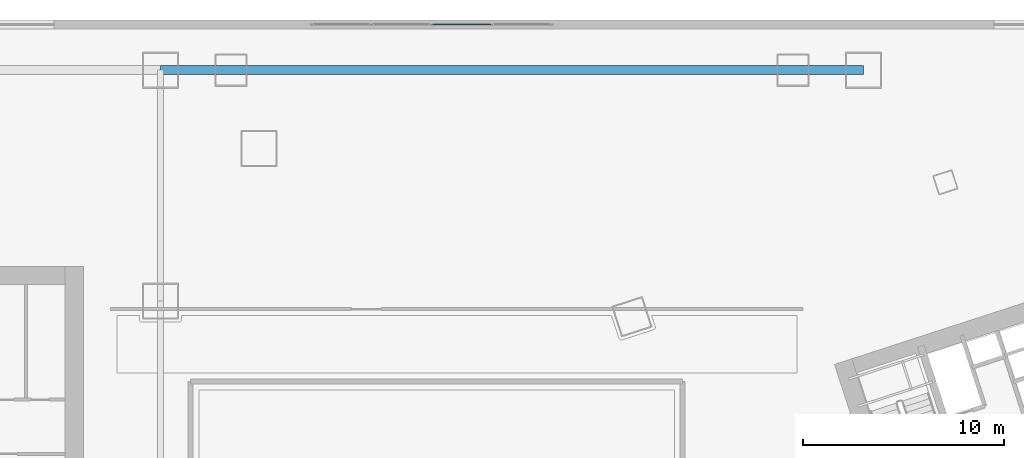
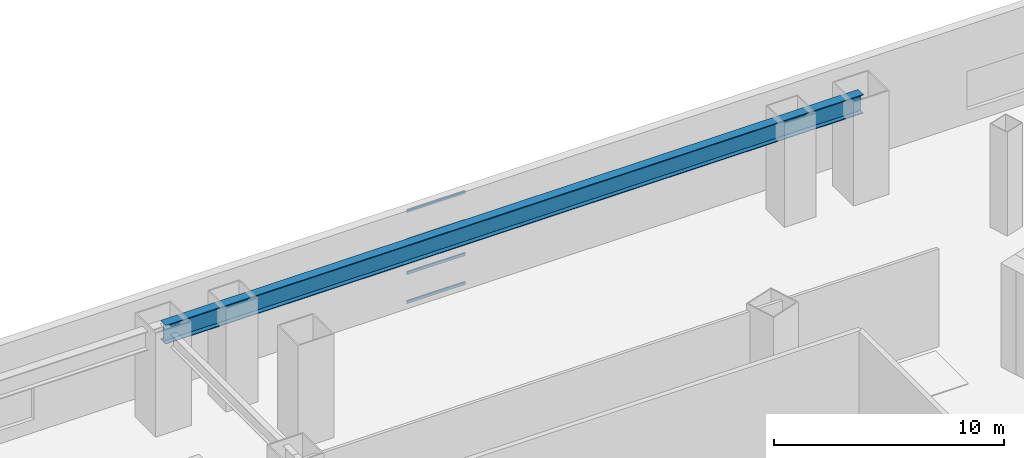
# One storey, part 19 of 35: 4 members, 1 beam, 1 element without a shape of its own.
"""IFC4 building model written with IfcOpenShell, lengths in metres."""

from ifc_helpers import new_model, si_unit, direction, frame, origin, origin_2d, place, context, subcontext, project, spatial, hollow_rectangle, i_section, extrude, material, layer, layer_set, material_profile, profile_set, type_object, element, aggregate, save


model = new_model("IFC4")

# Units and contexts
model_context = context("Model", 3, precision=1e-05, world=origin(), true_north=direction((0.0, 1.0)))
body_context = subcontext(model_context, "Body", "Model", "MODEL_VIEW")
ifc_project = project(units=[si_unit("LENGTHUNIT", "METRE"), si_unit("AREAUNIT", "SQUARE_METRE"), si_unit("VOLUMEUNIT", "CUBIC_METRE"), si_unit("PLANEANGLEUNIT", "RADIAN"), si_unit("MASSUNIT", "GRAM", prefix="KILO")], contexts=[model_context])

# Site, building, storey
site_placement = place(None, origin())
site = spatial("IfcSite", under=ifc_project, at=site_placement, CompositionType="ELEMENT")
building_placement = place(site_placement, origin())
building = spatial("IfcBuilding", under=site, at=building_placement, Name="Qiaolan Cultural Towers", CompositionType="ELEMENT")
storey_placement = place(building_placement, frame((0.0, 0.0, 6.0)))
storey = spatial("IfcBuildingStorey", under=building, at=storey_placement, Name="L01", CompositionType="ELEMENT", Elevation=6.0)

# Beam
ifc_material_1 = material(Name="Steel Q390GJB", Category="steel")
ifc_material_profile_1 = material_profile(ifc_material_1, i_section(OverallWidth=0.449951171875, OverallDepth=1.0, WebThickness=0.02392578125, FlangeThickness=0.0400390625, at=origin_2d()), Name="BH1000x450x24x40")
ifc_profile_set_1 = profile_set([ifc_material_profile_1], Name="Steel Q390GJB")
beam_type = type_object("IfcBeamType", Name="BM-BH1000x450x24x40", PredefinedType="BEAM", material=ifc_profile_set_1)
beam_placement = place(storey_placement, frame((42.5, 65.5, 4.699951171875), z_axis=(1.0, 0.0, 0.0), x_axis=(0.0, 1.0, 0.0)))
element("IfcBeam", 1, at=beam_placement, inside=storey, type_object=beam_type, Name="L01 Podium Primary Girder Y=65.5", PredefinedType="BEAM", context=body_context, shape_type="SweptSolid", body=[
    extrude(i_section(OverallWidth=0.449951171875, OverallDepth=1.0, WebThickness=0.02392578125, FlangeThickness=0.0400390625, at=origin_2d()), origin(), (0.0, 0.0, 1.0), 35.0),
])

# Curtain wall, members
ifc_material_2 = material(Name="Unitized Anodized Aluminium Curtain Wall System", Category="aluminium")
ifc_layer = layer(ifc_material_2, 0.199951171875)
ifc_layer_set = layer_set([ifc_layer], Name="Unitized Anodized Aluminium Curtain Wall System")
curtain_wall_type = type_object("IfcCurtainWallType", Name="CWS-01", PredefinedType="NOTDEFINED", material=ifc_layer_set)
curtain_wall_placement = place(storey_placement, origin())
curtain_wall = element("IfcCurtainWall", 2, at=curtain_wall_placement, inside=storey, type_object=curtain_wall_type, Name="L01 North Atrium Curtain Wall", PredefinedType="NOTDEFINED")
ifc_material_3 = material(Name="Extruded Aluminium 6063-T6", Category="aluminium")
ifc_material_profile_2 = material_profile(ifc_material_3, hollow_rectangle(XDim=0.06494140625, YDim=0.14990234375, WallThickness=0.00390625, at=origin_2d()), Name="CWT-150x65x4")
ifc_profile_set_2 = profile_set([ifc_material_profile_2], Name="Extruded Aluminium 6063-T6")
member_type = type_object("IfcMemberType", Name="CWS-01-TRN", PredefinedType="USERDEFINED", material=ifc_profile_set_2)
member_1_placement = place(storey_placement, frame((56.03759765625, 67.780029296875, 0.1826171875), z_axis=(1.0, 0.0, 0.0), x_axis=(0.0, 1.0, 0.0)))
member_1 = element("IfcMember", 3, at=member_1_placement, type_object=member_type, Name="CW-1 transom 3.1", ObjectType="TRANSOM", PredefinedType="USERDEFINED", context=body_context, shape_type="SweptSolid", body=[
    extrude(hollow_rectangle(XDim=0.06494140625, YDim=0.14990234375, WallThickness=0.00390625, at=origin_2d()), origin(), (0.0, 0.0, 1.0), 2.9248046875),
])
member_2_placement = place(storey_placement, frame((56.03759765625, 67.780029296875, 1.719970703125), z_axis=(1.0, 0.0, 0.0), x_axis=(0.0, 1.0, 0.0)))
member_2 = element("IfcMember", 4, at=member_2_placement, type_object=member_type, Name="CW-1 transom 3.2", ObjectType="TRANSOM", PredefinedType="USERDEFINED", context=body_context, shape_type="SweptSolid", body=[
    extrude(hollow_rectangle(XDim=0.06494140625, YDim=0.14990234375, WallThickness=0.00390625, at=origin_2d()), origin(), (0.0, 0.0, 1.0), 2.9248046875),
])
member_3_placement = place(storey_placement, frame((56.03759765625, 67.780029296875, 3.47998046875), z_axis=(1.0, 0.0, 0.0), x_axis=(0.0, 1.0, 0.0)))
member_3 = element("IfcMember", 5, at=member_3_placement, type_object=member_type, Name="CW-1 transom 3.3", ObjectType="TRANSOM", PredefinedType="USERDEFINED", context=body_context, shape_type="SweptSolid", body=[
    extrude(hollow_rectangle(XDim=0.06494140625, YDim=0.14990234375, WallThickness=0.00390625, at=origin_2d()), origin(), (0.0, 0.0, 1.0), 2.9248046875),
])
member_4_placement = place(storey_placement, frame((56.03759765625, 67.780029296875, 5.017578125), z_axis=(1.0, 0.0, 0.0), x_axis=(0.0, 1.0, 0.0)))
member_4 = element("IfcMember", 6, at=member_4_placement, type_object=member_type, Name="CW-1 transom 3.4", ObjectType="TRANSOM", PredefinedType="USERDEFINED", context=body_context, shape_type="SweptSolid", body=[
    extrude(hollow_rectangle(XDim=0.06494140625, YDim=0.14990234375, WallThickness=0.00390625, at=origin_2d()), origin(), (0.0, 0.0, 1.0), 2.9248046875),
])
aggregate(curtain_wall, [member_1, member_2, member_3, member_4])

save(model, "model.ifc")
